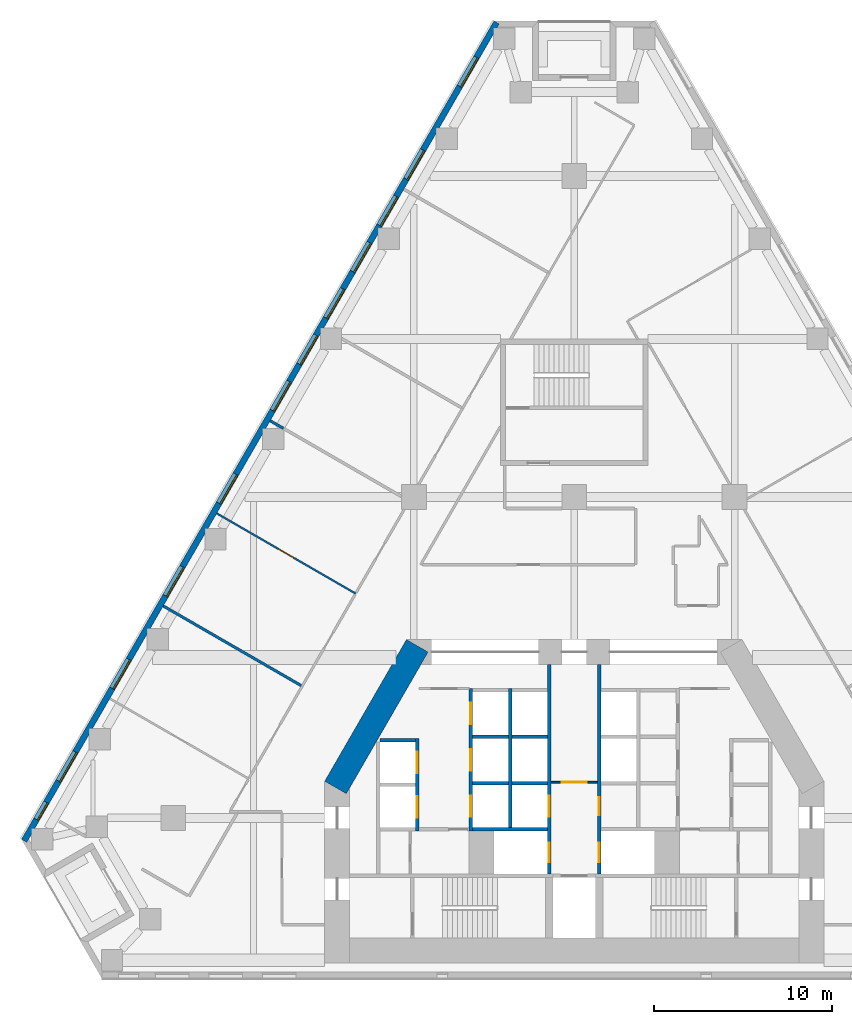
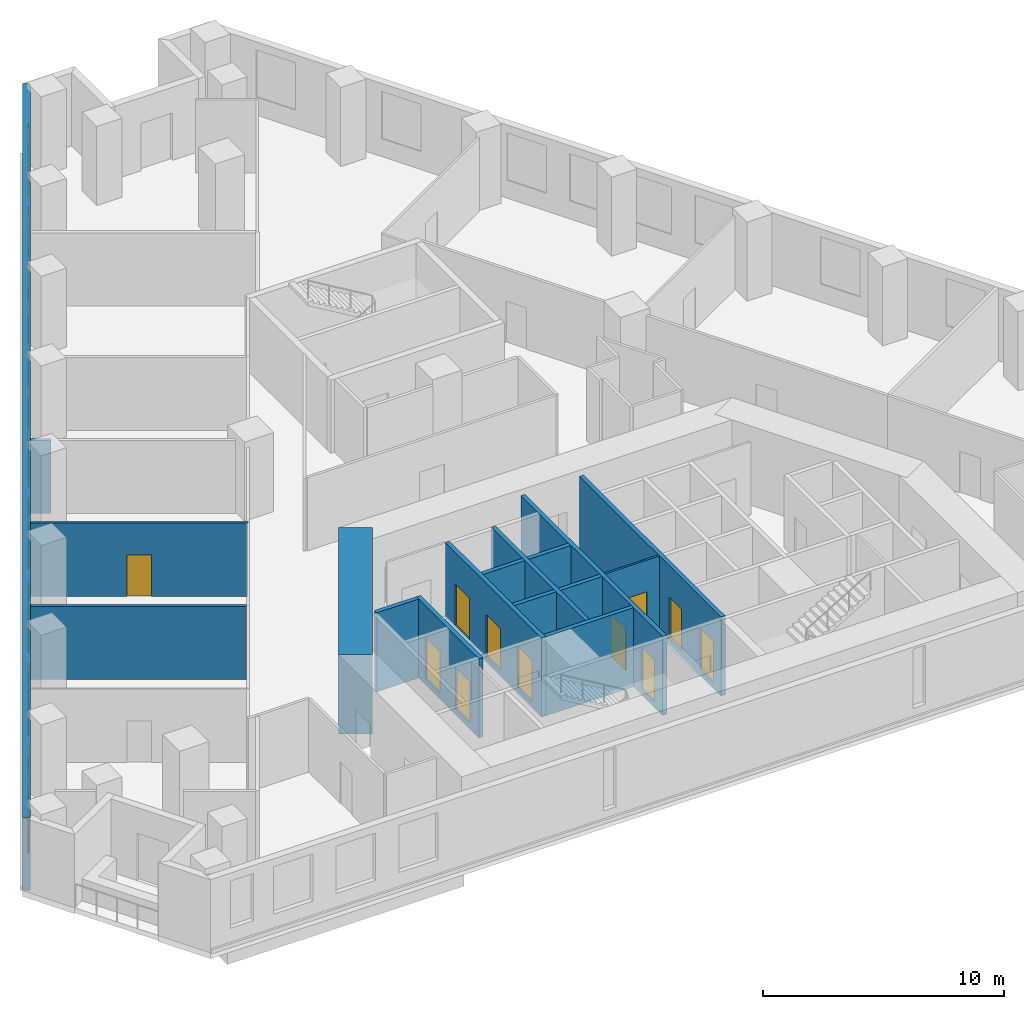
# One storey, part 4 of 9: 17 walls, 12 windows, 11 doors, 23 openings.
"""IFC4 building model written with IfcOpenShell, lengths in metres."""

import ifcopenshell
import ifcopenshell.guid

model = None  # the IFC model being written
_history = None  # IfcOwnerHistory: only IFC2X3 demands one
_inside = {}  # id of a spatial element -> (the spatial element, [elements in it])
_under = {}  # id of a project, library or spatial element -> (it, [spatial elements below it])
_declared = {}  # id of a project -> (the project, [libraries it declares])
_typed = {}  # id of a type object -> (the type object, [elements of that type])
_made_of = {}  # id of a material, layer set ... -> (it, [elements and type objects made of it])


def new_model(schema):
    """Start an empty IFC model of exactly this schema.

    Asked for "IFC4X3", IfcOpenShell would pick the latest addendum, in which some entities
    have other attributes; the version numbers below select the first issue.
    IFC2X3 requires an IfcOwnerHistory on every rooted entity: one is made here for all.
    """
    global model, _history
    if schema == "IFC4X3":
        model = ifcopenshell.file(schema_version=(4, 3, 0, 0))
    else:
        model = ifcopenshell.file(schema=schema)
    _inside.clear()
    _under.clear()
    _declared.clear()
    _typed.clear()
    _made_of.clear()
    _history = None
    if model.schema == "IFC2X3":
        org = make("IfcOrganization", Name="unknown")
        user = make(
            "IfcPersonAndOrganization",
            ThePerson=make("IfcPerson", FamilyName="unknown"),
            TheOrganization=org,
        )
        app = make(
            "IfcApplication",
            ApplicationDeveloper=org,
            Version="unknown",
            ApplicationFullName="unknown",
            ApplicationIdentifier="unknown",
        )
        _history = make(
            "IfcOwnerHistory",
            OwningUser=user,
            OwningApplication=app,
            ChangeAction="ADDED",
            CreationDate=0,
        )
    return model


def make(cls, **values):
    """One entity of the class cls with the attributes given. An attribute that is None is left unset."""
    return model.create_entity(
        cls, **{name: value for name, value in values.items() if value is not None}
    )


def rooted(cls, **values):
    """An entity with a GlobalId (a new one), such as an element, a storey or a relation."""
    return make(cls, GlobalId=ifcopenshell.guid.new(), OwnerHistory=_history, **values)


def si_unit(unit_type, name, prefix=None):
    """IfcSIUnit, for example si_unit("LENGTHUNIT", "METRE", prefix="MILLI")."""
    return make("IfcSIUnit", UnitType=unit_type, Prefix=prefix, Name=name)


def assignment(units):
    """IfcUnitAssignment: the units of a project."""
    return None if units is None else make("IfcUnitAssignment", Units=units)


def point(xyz):
    """IfcCartesianPoint."""
    return None if xyz is None else make("IfcCartesianPoint", Coordinates=xyz)


def direction(xyz):
    """IfcDirection."""
    return None if xyz is None else make("IfcDirection", DirectionRatios=xyz)


def frame(location, z_axis=None, x_axis=None):
    """IfcAxis2Placement3D, a coordinate frame: its origin and axes. An axis left out is left unset."""
    return make(
        "IfcAxis2Placement3D",
        Location=point(location),
        Axis=direction(z_axis),
        RefDirection=direction(x_axis),
    )


def frame_2d(location, x_axis=None):
    """IfcAxis2Placement2D, a coordinate frame in the plane: its origin and x axis."""
    return make(
        "IfcAxis2Placement2D", Location=point(location), RefDirection=direction(x_axis)
    )


def origin():
    """The frame at (0, 0, 0) with its axes left unset."""
    return frame((0.0, 0.0, 0.0))


def place(relative_to, where):
    """IfcLocalPlacement: puts the frame where relative to a parent placement (None: the world)."""
    return make(
        "IfcLocalPlacement", PlacementRelTo=relative_to, RelativePlacement=where
    )


def context(
    kind, dimensions, precision=None, world=None, true_north=None, identifier=None
):
    """IfcGeometricRepresentationContext, for example the 3D "Model" context."""
    return make(
        "IfcGeometricRepresentationContext",
        ContextIdentifier=identifier,
        ContextType=kind,
        CoordinateSpaceDimension=dimensions,
        Precision=precision,
        WorldCoordinateSystem=world,
        TrueNorth=true_north,
    )


def subcontext(parent, identifier, kind, view, scale=None):
    """IfcGeometricRepresentationSubContext, for example "Body" below "Model"."""
    return make(
        "IfcGeometricRepresentationSubContext",
        ContextIdentifier=identifier,
        ContextType=kind,
        ParentContext=parent,
        TargetScale=scale,
        TargetView=view,
    )


def project(units=None, contexts=None):
    """IfcProject with its units and contexts."""
    return rooted(
        "IfcProject",
        Name="project",
        RepresentationContexts=contexts,
        UnitsInContext=assignment(units),
    )


def spatial(cls, under=None, at=None, **own):
    """A site, building, storey or space (cls), placed at a placement, below another one or the project."""
    s = rooted(cls, ObjectPlacement=at, **own)
    if under is not None:
        _under.setdefault(under.id(), (under, []))[1].append(s)
    return s


def profile(cls, at=None, kind="AREA", **sizes):
    """A parametric profile (cls). Its sizes go by their IFC names, for example OverallWidth=200.0."""
    return make(cls, ProfileType=kind, Position=at, **sizes)


def rectangle(**sizes):
    """IfcRectangleProfileDef."""
    return profile("IfcRectangleProfileDef", **sizes)


def extrude(swept, where, along, depth):
    """IfcExtrudedAreaSolid: the profile swept, set in the frame where, extruded along a direction by depth."""
    return make(
        "IfcExtrudedAreaSolid",
        SweptArea=swept,
        Position=where,
        ExtrudedDirection=direction(along),
        Depth=depth,
    )


def shape(context_of_items, identifier, shape_type, items):
    """IfcShapeRepresentation: the items that make up one representation, for example the "Body"."""
    return make(
        "IfcShapeRepresentation",
        ContextOfItems=context_of_items,
        RepresentationIdentifier=identifier,
        RepresentationType=shape_type,
        Items=items,
    )


def material(Name=None, Category=None):
    """IfcMaterial."""
    return make("IfcMaterial", Name=Name, Category=Category)


def layer(
    of_material, thickness, ventilated=None, Name=None, Category=None, Priority=None
):
    """IfcMaterialLayer: one layer of a wall or slab, of a material (None: an air gap)."""
    return make(
        "IfcMaterialLayer",
        Material=of_material,
        LayerThickness=thickness,
        IsVentilated=ventilated,
        Name=Name,
        Category=Category,
        Priority=Priority,
    )


def layer_set(layers, Name=None):
    """IfcMaterialLayerSet."""
    return make("IfcMaterialLayerSet", MaterialLayers=layers, LayerSetName=Name)


def made_of(thing, what):
    """Note that an element or type object is made of a material, layer set ...; save() writes the relation."""
    if what is not None:
        _made_of.setdefault(what.id(), (what, []))[1].append(thing)
    return thing


def type_object(cls, material=None, **own):
    """A type object (cls), such as IfcWallType, which elements share."""
    return made_of(rooted(cls, **own), material)


def element(
    cls,
    number,
    at=None,
    inside=None,
    cuts=None,
    type_object=None,
    material=None,
    context=None,
    identifier="Body",
    shape_type=None,
    held_by="IfcProductDefinitionShape",
    body=None,
    shapes=None,
    **own,
):
    """One element of the class cls, such as IfcWall. Its Tag is "e" and its number.

    at: its placement. inside: the storey or other place that contains it. cuts: it is an
    opening in that element (IfcRelVoidsElement). A single representation is given by context,
    identifier, shape_type and body (its items); several are given by shapes. held_by: the class
    of the entity that holds the representations. save() writes the other relations.
    """
    e = rooted(cls, Tag="e%d" % number, ObjectPlacement=at, **own)
    if body is not None:
        shapes = [shape(context, identifier, shape_type, body)]
    if shapes is not None:
        e.Representation = make(held_by, Representations=shapes)
    if inside is not None:
        _inside.setdefault(inside.id(), (inside, []))[1].append(e)
    if cuts is not None:
        rooted(
            "IfcRelVoidsElement", RelatingBuildingElement=cuts, RelatedOpeningElement=e
        )
    if type_object is not None:
        _typed.setdefault(type_object.id(), (type_object, []))[1].append(e)
    return made_of(e, material)


def fill(opening, filler):
    """IfcRelFillsElement: the door or window that sits in an opening."""
    return rooted(
        "IfcRelFillsElement",
        RelatingOpeningElement=opening,
        RelatedBuildingElement=filler,
    )


def aggregate(whole, parts):
    """IfcRelAggregates: a whole, such as a stair, and the parts it consists of."""
    return rooted("IfcRelAggregates", RelatingObject=whole, RelatedObjects=parts)


def save(model, path):
    """Write the relations noted so far, then the file.

    IfcRelAggregates (storeys below a building ...), IfcRelContainedInSpatialStructure (elements
    in a storey), IfcRelDefinesByType, IfcRelAssociatesMaterial and IfcRelDeclares: one each for
    every whole, place, type object, material and project.
    """
    for whole, parts in _under.values():
        aggregate(whole, parts)
    for where, things in _inside.values():
        rooted(
            "IfcRelContainedInSpatialStructure",
            RelatedElements=things,
            RelatingStructure=where,
        )
    for kind, things in _typed.values():
        rooted("IfcRelDefinesByType", RelatedObjects=things, RelatingType=kind)
    for what, things in _made_of.values():
        rooted("IfcRelAssociatesMaterial", RelatedObjects=things, RelatingMaterial=what)
    for by, libraries in _declared.values():
        rooted("IfcRelDeclares", RelatingContext=by, RelatedDefinitions=libraries)
    model.write(path)


model = new_model("IFC4")

# Units and contexts
model_context = context("Model", 3, precision=1e-05, world=origin(), true_north=direction((0.0, 1.0)))
body_context = subcontext(model_context, "Body", "Model", "MODEL_VIEW")
ifc_project = project(units=[si_unit("LENGTHUNIT", "METRE"), si_unit("AREAUNIT", "SQUARE_METRE"), si_unit("VOLUMEUNIT", "CUBIC_METRE"), si_unit("PLANEANGLEUNIT", "RADIAN"), si_unit("MASSUNIT", "GRAM", prefix="KILO")], contexts=[model_context])

# Site, building, storey
site_placement = place(None, origin())
site = spatial("IfcSite", under=ifc_project, at=site_placement, CompositionType="ELEMENT")
building_placement = place(site_placement, origin())
building = spatial("IfcBuilding", under=site, at=building_placement, Name="Fogline Exchange Tower", CompositionType="ELEMENT")
storey_placement = place(building_placement, frame((0.0, 0.0, 84.89990234375)))
storey = spatial("IfcBuildingStorey", under=building, at=storey_placement, Name="L18", CompositionType="ELEMENT", Elevation=84.89990234375)

# Wall, opening, door
ifc_material_1 = material(Name="Blockwork partition", Category="masonry")
ifc_layer_1 = layer(ifc_material_1, 0.10009765625)
ifc_layer_set_1 = layer_set([ifc_layer_1], Name="CW10")
wall_type_1 = type_object("IfcWallType", Name="CW10", PredefinedType="PARTITIONING", material=ifc_layer_set_1)
wall_1_placement = place(storey_placement, frame((-1.300048828125, 11.0, 0.0), z_axis=(0.0, 0.0, 1.0), x_axis=(1.0, 0.0, 0.0)))
wall_1 = element("IfcWall", 1, at=wall_1_placement, inside=storey, type_object=wall_type_1, Name="Lift lobby partition", PredefinedType="PARTITIONING", context=body_context, shape_type="SweptSolid", body=[
    extrude(rectangle(XDim=2.60009765625, YDim=0.10009765625, at=frame_2d((1.300048828125, 0.0))), origin(), (0.0, 0.0, 1.0), 3.7001953125),
])
opening_1_placement = place(wall_1_placement, frame((0.60009765625, 0.0, 0.0)))
opening_1 = element("IfcOpeningElement", 2, at=opening_1_placement, cuts=wall_1, Name="Opening T05-C019", PredefinedType="OPENING", context=body_context, shape_type="SweptSolid", body=[
    extrude(rectangle(XDim=1.39990234375, YDim=2.10009765625, at=frame_2d((0.699951171875, 1.050048828125))), frame((0.0, 0.06005859375, 0.0), z_axis=(0.0, -1.0, 0.0), x_axis=(1.0, 0.0, 0.0)), (0.0, 0.0, 1.0), 0.1201171875),
])
ifc_material_2 = material(Name="Steel and timber fire door", Category="steel")
door_type_1 = type_object("IfcDoorType", Name="D-LB1", OperationType="DOUBLE_DOOR_SINGLE_SWING", PredefinedType="DOOR", material=ifc_material_2)
door_1_placement = place(opening_1_placement, frame((1.39990234375, 0.0, 0.0), z_axis=(0.0, 0.0, 1.0), x_axis=(-1.0, 0.0, 0.0)))
door_1 = element("IfcDoor", 3, at=door_1_placement, inside=storey, type_object=door_type_1, Name="Door to firefighting lift lobby", OperationType="DOUBLE_DOOR_SINGLE_SWING", OverallHeight=2.10009765625, OverallWidth=1.39990234375, PredefinedType="DOOR", context=body_context, shape_type="SweptSolid", body=[
    extrude(rectangle(XDim=1.39990234375, YDim=2.10009765625, at=frame_2d((0.699951171875, 1.050048828125))), frame((0.0, 0.02490234375, 0.0), z_axis=(0.0, -1.0, 0.0), x_axis=(1.0, 0.0, 0.0)), (0.0, 0.0, 1.0), 0.050048828125),
])
fill(opening_1, door_1)

# Wall, openings, doors
ifc_material_3 = material(Name="Concrete C40", Category="concrete")
ifc_layer_2 = layer(ifc_material_3, 0.199951171875)
ifc_layer_set_2 = layer_set([ifc_layer_2], Name="CW20S")
wall_type_2 = type_object("IfcWallType", Name="CW20S", PredefinedType="SOLIDWALL", material=ifc_layer_set_2)
wall_2_placement = place(storey_placement, frame((-8.800048828125, 8.25, -0.2998046875), z_axis=(0.0, 0.0, 1.0), x_axis=(0.0, 1.0, 0.0)))
wall_2 = element("IfcWall", 4, at=wall_2_placement, inside=storey, type_object=wall_type_2, Name="Lift shaft wall", PredefinedType="SOLIDWALL", context=body_context, shape_type="SweptSolid", body=[
    extrude(rectangle(XDim=5.199951171875, YDim=0.199951171875, at=frame_2d((2.60009765625, 0.0))), origin(), (0.0, 0.0, 1.0), 4.0),
])
opening_2_placement = place(wall_2_placement, frame((0.75, 0.0, 0.300048828125)))
opening_2 = element("IfcOpeningElement", 5, at=opening_2_placement, cuts=wall_2, Name="Opening T05-LD01", PredefinedType="OPENING", context=body_context, shape_type="SweptSolid", body=[
    extrude(rectangle(XDim=1.199951171875, YDim=2.10009765625, at=frame_2d((0.60009765625, 1.050048828125))), frame((0.0, 0.10986328125, 0.0), z_axis=(0.0, -1.0, 0.0), x_axis=(1.0, 0.0, 0.0)), (0.0, 0.0, 1.0), 0.219970703125),
])
opening_3_placement = place(wall_2_placement, frame((3.25, 0.0, 0.300048828125)))
opening_3 = element("IfcOpeningElement", 6, at=opening_3_placement, cuts=wall_2, Name="Opening T05-LD02", PredefinedType="OPENING", context=body_context, shape_type="SweptSolid", body=[
    extrude(rectangle(XDim=1.199951171875, YDim=2.10009765625, at=frame_2d((0.60009765625, 1.050048828125))), frame((0.0, 0.10986328125, 0.0), z_axis=(0.0, -1.0, 0.0), x_axis=(1.0, 0.0, 0.0)), (0.0, 0.0, 1.0), 0.219970703125),
])
door_type_2 = type_object("IfcDoorType", Name="LD1", OperationType="SLIDING_TO_LEFT", PredefinedType="DOOR", material=ifc_material_2)
door_2_placement = place(opening_2_placement, origin())
door_2 = element("IfcDoor", 7, at=door_2_placement, inside=storey, type_object=door_type_2, Name="Landing door LR1", OperationType="SLIDING_TO_LEFT", OverallHeight=2.10009765625, OverallWidth=1.199951171875, PredefinedType="DOOR", context=body_context, shape_type="SweptSolid", body=[
    extrude(rectangle(XDim=1.199951171875, YDim=2.10009765625, at=frame_2d((0.60009765625, 1.050048828125))), frame((0.0, 0.02490234375, 0.0), z_axis=(0.0, -1.0, 0.0), x_axis=(1.0, 0.0, 0.0)), (0.0, 0.0, 1.0), 0.050048828125),
])
fill(opening_2, door_2)
door_3_placement = place(opening_3_placement, origin())
door_3 = element("IfcDoor", 8, at=door_3_placement, inside=storey, type_object=door_type_2, Name="Landing door LR2", OperationType="SLIDING_TO_LEFT", OverallHeight=2.10009765625, OverallWidth=1.199951171875, PredefinedType="DOOR", context=body_context, shape_type="SweptSolid", body=[
    extrude(rectangle(XDim=1.199951171875, YDim=2.10009765625, at=frame_2d((0.60009765625, 1.050048828125))), frame((0.0, 0.02490234375, 0.0), z_axis=(0.0, -1.0, 0.0), x_axis=(1.0, 0.0, 0.0)), (0.0, 0.0, 1.0), 0.050048828125),
])
fill(opening_3, door_3)

wall_3_placement = place(storey_placement, frame((-5.800048828125, 8.25, -0.2998046875), z_axis=(0.0, 0.0, 1.0), x_axis=(0.0, 1.0, 0.0)))
wall_3 = element("IfcWall", 9, at=wall_3_placement, inside=storey, type_object=wall_type_2, Name="Lift shaft wall", PredefinedType="SOLIDWALL", context=body_context, shape_type="SweptSolid", body=[
    extrude(rectangle(XDim=8.0, YDim=0.199951171875, at=frame_2d((4.0, 0.0))), origin(), (0.0, 0.0, 1.0), 4.0),
])
opening_4_placement = place(wall_3_placement, frame((0.800048828125, 0.0, 0.300048828125)))
opening_4 = element("IfcOpeningElement", 10, at=opening_4_placement, cuts=wall_3, Name="Opening T05-LD03", PredefinedType="OPENING", context=body_context, shape_type="SweptSolid", body=[
    extrude(rectangle(XDim=1.199951171875, YDim=2.10009765625, at=frame_2d((0.60009765625, 1.050048828125))), frame((0.0, 0.10986328125, 0.0), z_axis=(0.0, -1.0, 0.0), x_axis=(1.0, 0.0, 0.0)), (0.0, 0.0, 1.0), 0.219970703125),
])
opening_5_placement = place(wall_3_placement, frame((3.39990234375, 0.0, 0.300048828125)))
opening_5 = element("IfcOpeningElement", 11, at=opening_5_placement, cuts=wall_3, Name="Opening T05-LD04", PredefinedType="OPENING", context=body_context, shape_type="SweptSolid", body=[
    extrude(rectangle(XDim=1.199951171875, YDim=2.10009765625, at=frame_2d((0.60009765625, 1.050048828125))), frame((0.0, 0.10986328125, 0.0), z_axis=(0.0, -1.0, 0.0), x_axis=(1.0, 0.0, 0.0)), (0.0, 0.0, 1.0), 0.219970703125),
])
opening_6_placement = place(wall_3_placement, frame((6.0, 0.0, 0.300048828125)))
opening_6 = element("IfcOpeningElement", 12, at=opening_6_placement, cuts=wall_3, Name="Opening T05-LD05", PredefinedType="OPENING", context=body_context, shape_type="SweptSolid", body=[
    extrude(rectangle(XDim=1.199951171875, YDim=2.10009765625, at=frame_2d((0.60009765625, 1.050048828125))), frame((0.0, 0.10986328125, 0.0), z_axis=(0.0, -1.0, 0.0), x_axis=(1.0, 0.0, 0.0)), (0.0, 0.0, 1.0), 0.219970703125),
])
door_4_placement = place(opening_4_placement, origin())
door_4 = element("IfcDoor", 13, at=door_4_placement, inside=storey, type_object=door_type_2, Name="Landing door LR3", OperationType="SLIDING_TO_LEFT", OverallHeight=2.10009765625, OverallWidth=1.199951171875, PredefinedType="DOOR", context=body_context, shape_type="SweptSolid", body=[
    extrude(rectangle(XDim=1.199951171875, YDim=2.10009765625, at=frame_2d((0.60009765625, 1.050048828125))), frame((0.0, 0.02490234375, 0.0), z_axis=(0.0, -1.0, 0.0), x_axis=(1.0, 0.0, 0.0)), (0.0, 0.0, 1.0), 0.050048828125),
])
fill(opening_4, door_4)
door_5_placement = place(opening_5_placement, origin())
door_5 = element("IfcDoor", 14, at=door_5_placement, inside=storey, type_object=door_type_2, Name="Landing door LR4", OperationType="SLIDING_TO_LEFT", OverallHeight=2.10009765625, OverallWidth=1.199951171875, PredefinedType="DOOR", context=body_context, shape_type="SweptSolid", body=[
    extrude(rectangle(XDim=1.199951171875, YDim=2.10009765625, at=frame_2d((0.60009765625, 1.050048828125))), frame((0.0, 0.02490234375, 0.0), z_axis=(0.0, -1.0, 0.0), x_axis=(1.0, 0.0, 0.0)), (0.0, 0.0, 1.0), 0.050048828125),
])
fill(opening_5, door_5)
door_6_placement = place(opening_6_placement, origin())
door_6 = element("IfcDoor", 15, at=door_6_placement, inside=storey, type_object=door_type_2, Name="Landing door LR5", OperationType="SLIDING_TO_LEFT", OverallHeight=2.10009765625, OverallWidth=1.199951171875, PredefinedType="DOOR", context=body_context, shape_type="SweptSolid", body=[
    extrude(rectangle(XDim=1.199951171875, YDim=2.10009765625, at=frame_2d((0.60009765625, 1.050048828125))), frame((0.0, 0.02490234375, 0.0), z_axis=(0.0, -1.0, 0.0), x_axis=(1.0, 0.0, 0.0)), (0.0, 0.0, 1.0), 0.050048828125),
])
fill(opening_6, door_6)

# Wall
wall_4_placement = place(storey_placement, frame((-3.60009765625, 8.449951171875, -0.2998046875), z_axis=(0.0, 0.0, 1.0), x_axis=(0.0, 1.0, 0.0)))
element("IfcWall", 16, at=wall_4_placement, inside=storey, type_object=wall_type_2, Name="Lift shaft wall", PredefinedType="SOLIDWALL", context=body_context, shape_type="SweptSolid", body=[
    extrude(rectangle(XDim=7.800048828125, YDim=0.199951171875, at=frame_2d((3.89990234375, 0.0))), origin(), (0.0, 0.0, 1.0), 4.0),
])

# Wall, openings, doors
wall_5_placement = place(storey_placement, frame((-1.39990234375, 5.85009765625, -0.2998046875), z_axis=(0.0, 0.0, 1.0), x_axis=(0.0, 1.0, 0.0)))
wall_5 = element("IfcWall", 17, at=wall_5_placement, inside=storey, type_object=wall_type_2, Name="Lift lobby wall", PredefinedType="SOLIDWALL", context=body_context, shape_type="SweptSolid", body=[
    extrude(rectangle(XDim=11.75, YDim=0.199951171875, at=frame_2d((5.875, 0.0))), origin(), (0.0, 0.0, 1.0), 4.0),
])
opening_7_placement = place(wall_5_placement, frame((3.199951171875, 0.0, 0.300048828125)))
opening_7 = element("IfcOpeningElement", 18, at=opening_7_placement, cuts=wall_5, Name="Opening T05-LD06", PredefinedType="OPENING", context=body_context, shape_type="SweptSolid", body=[
    extrude(rectangle(XDim=1.199951171875, YDim=2.10009765625, at=frame_2d((0.60009765625, 1.050048828125))), frame((0.0, 0.10986328125, 0.0), z_axis=(0.0, -1.0, 0.0), x_axis=(1.0, 0.0, 0.0)), (0.0, 0.0, 1.0), 0.219970703125),
])
opening_8_placement = place(wall_5_placement, frame((0.64990234375, 0.0, 0.300048828125)))
opening_8 = element("IfcOpeningElement", 19, at=opening_8_placement, cuts=wall_5, Name="Opening T05-LD07", PredefinedType="OPENING", context=body_context, shape_type="SweptSolid", body=[
    extrude(rectangle(XDim=1.10009765625, YDim=2.10009765625, at=frame_2d((0.550048828125, 1.050048828125))), frame((0.0, 0.10986328125, 0.0), z_axis=(0.0, -1.0, 0.0), x_axis=(1.0, 0.0, 0.0)), (0.0, 0.0, 1.0), 0.219970703125),
])
door_7_placement = place(opening_7_placement, origin())
door_7 = element("IfcDoor", 20, at=door_7_placement, inside=storey, type_object=door_type_2, Name="Landing door LR6", OperationType="SLIDING_TO_LEFT", OverallHeight=2.10009765625, OverallWidth=1.199951171875, PredefinedType="DOOR", context=body_context, shape_type="SweptSolid", body=[
    extrude(rectangle(XDim=1.199951171875, YDim=2.10009765625, at=frame_2d((0.60009765625, 1.050048828125))), frame((0.0, 0.02490234375, 0.0), z_axis=(0.0, -1.0, 0.0), x_axis=(1.0, 0.0, 0.0)), (0.0, 0.0, 1.0), 0.050048828125),
])
fill(opening_7, door_7)
door_type_3 = type_object("IfcDoorType", Name="LD2", OperationType="SLIDING_TO_RIGHT", PredefinedType="DOOR", material=ifc_material_2)
door_8_placement = place(opening_8_placement, origin())
door_8 = element("IfcDoor", 21, at=door_8_placement, inside=storey, type_object=door_type_3, Name="Landing door FF1", OperationType="SLIDING_TO_RIGHT", OverallHeight=2.10009765625, OverallWidth=1.10009765625, PredefinedType="DOOR", context=body_context, shape_type="SweptSolid", body=[
    extrude(rectangle(XDim=1.10009765625, YDim=2.10009765625, at=frame_2d((0.550048828125, 1.050048828125))), frame((0.0, 0.02490234375, 0.0), z_axis=(0.0, -1.0, 0.0), x_axis=(1.0, 0.0, 0.0)), (0.0, 0.0, 1.0), 0.050048828125),
])
fill(opening_8, door_8)

wall_6_placement = place(storey_placement, frame((1.39990234375, 5.85009765625, -0.2998046875), z_axis=(0.0, 0.0, 1.0), x_axis=(0.0, 1.0, 0.0)))
wall_6 = element("IfcWall", 22, at=wall_6_placement, inside=storey, type_object=wall_type_2, Name="Lift lobby wall", PredefinedType="SOLIDWALL", context=body_context, shape_type="SweptSolid", body=[
    extrude(rectangle(XDim=11.75, YDim=0.199951171875, at=frame_2d((5.875, 0.0))), origin(), (0.0, 0.0, 1.0), 4.0),
])
opening_9_placement = place(wall_6_placement, frame((0.64990234375, 0.0, 0.300048828125)))
opening_9 = element("IfcOpeningElement", 23, at=opening_9_placement, cuts=wall_6, Name="Opening T05-LD08", PredefinedType="OPENING", context=body_context, shape_type="SweptSolid", body=[
    extrude(rectangle(XDim=1.10009765625, YDim=2.10009765625, at=frame_2d((0.550048828125, 1.050048828125))), frame((0.0, 0.10986328125, 0.0), z_axis=(0.0, -1.0, 0.0), x_axis=(1.0, 0.0, 0.0)), (0.0, 0.0, 1.0), 0.219970703125),
])
opening_10_placement = place(wall_6_placement, frame((3.300048828125, 0.0, 0.300048828125)))
opening_10 = element("IfcOpeningElement", 24, at=opening_10_placement, cuts=wall_6, Name="Opening T05-C006", PredefinedType="OPENING", context=body_context, shape_type="SweptSolid", body=[
    extrude(rectangle(XDim=1.0, YDim=2.10009765625, at=frame_2d((0.5, 1.050048828125))), frame((0.0, 0.10986328125, 0.0), z_axis=(0.0, -1.0, 0.0), x_axis=(1.0, 0.0, 0.0)), (0.0, 0.0, 1.0), 0.219970703125),
])
door_type_4 = type_object("IfcDoorType", Name="D-RM1", OperationType="SINGLE_SWING_LEFT", PredefinedType="DOOR", material=ifc_material_2)
door_9_placement = place(opening_10_placement, frame((1.0, 0.0, 0.0), z_axis=(0.0, 0.0, 1.0), x_axis=(-1.0, 0.0, 0.0)))
door_9 = element("IfcDoor", 25, at=door_9_placement, inside=storey, type_object=door_type_4, Name="Door to Riser Room", OperationType="SINGLE_SWING_RIGHT", OverallHeight=2.10009765625, OverallWidth=1.0, PredefinedType="DOOR", context=body_context, shape_type="SweptSolid", body=[
    extrude(rectangle(XDim=1.0, YDim=2.10009765625, at=frame_2d((0.5, 1.050048828125))), frame((0.0, 0.02490234375, 0.0), z_axis=(0.0, -1.0, 0.0), x_axis=(1.0, 0.0, 0.0)), (0.0, 0.0, 1.0), 0.050048828125),
])
fill(opening_10, door_9)
door_10_placement = place(opening_9_placement, origin())
door_10 = element("IfcDoor", 26, at=door_10_placement, inside=storey, type_object=door_type_3, Name="Landing door FF2", OperationType="SLIDING_TO_RIGHT", OverallHeight=2.10009765625, OverallWidth=1.10009765625, PredefinedType="DOOR", context=body_context, shape_type="SweptSolid", body=[
    extrude(rectangle(XDim=1.10009765625, YDim=2.10009765625, at=frame_2d((0.550048828125, 1.050048828125))), frame((0.0, 0.02490234375, 0.0), z_axis=(0.0, -1.0, 0.0), x_axis=(1.0, 0.0, 0.0)), (0.0, 0.0, 1.0), 0.050048828125),
])
fill(opening_9, door_10)

# Walls
wall_7_placement = place(storey_placement, frame((-5.699951171875, 8.35009765625, -0.2998046875), z_axis=(0.0, 0.0, 1.0), x_axis=(1.0, 0.0, 0.0)))
element("IfcWall", 27, at=wall_7_placement, inside=storey, type_object=wall_type_2, Name="Lift shaft wall", PredefinedType="SOLIDWALL", context=body_context, shape_type="SweptSolid", body=[
    extrude(rectangle(XDim=4.199951171875, YDim=0.199951171875, at=frame_2d((2.10009765625, 0.0))), origin(), (0.0, 0.0, 1.0), 4.0),
])
for number, where, z_axis, x_axis, name in (
    (28, (-10.89990234375, 13.35009765625, -0.2998046875), (0.0, 0.0, 1.0), (1.0, 0.0, 0.0), "Lift shaft wall"),
    (29, (-5.699951171875, 10.949951171875, -0.2998046875), (0.0, 0.0, 1.0), (1.0, 0.0, 0.0), "Lift shaft wall"),
    (30, (-5.699951171875, 13.550048828125, -0.2998046875), (0.0, 0.0, 1.0), (1.0, 0.0, 0.0), "Lift shaft wall"),
    (31, (-3.5, 10.949951171875, -0.2998046875), (0.0, 0.0, 1.0), (1.0, 0.0, 0.0), "Lift shaft wall"),
    (32, (-3.5, 13.550048828125, -0.2998046875), (0.0, 0.0, 1.0), (1.0, 0.0, 0.0), "Lift shaft wall"),
):
    element("IfcWall", number, at=place(storey_placement, frame(where, z_axis=z_axis, x_axis=x_axis)), inside=storey, type_object=wall_type_2, Name=name, PredefinedType="SOLIDWALL", context=body_context, shape_type="SweptSolid", body=[
        extrude(rectangle(XDim=2.0, YDim=0.199951171875, at=frame_2d((1.0, 0.0))), origin(), (0.0, 0.0, 1.0), 4.0),
    ])

# Wall, openings, windows
ifc_material_4 = material(Name="Brick masonry", Category="masonry")
ifc_layer_3 = layer(ifc_material_4, 0.340087890625)
ifc_layer_set_3 = layer_set([ifc_layer_3], Name="FW1")
wall_type_3 = type_object("IfcWallType", Name="FW1", PredefinedType="SOLIDWALL", material=ifc_layer_set_3)
wall_8_placement = place(storey_placement, frame((-4.352783203125, 53.626708984375, 0.0), z_axis=(0.0, 0.0, 1.0), x_axis=(-0.500000400847, -0.866025172355, 0.0)))
wall_8 = element("IfcWall", 33, at=wall_8_placement, inside=storey, type_object=wall_type_3, Name="Brick wall L18 W", PredefinedType="SOLIDWALL", context=body_context, shape_type="SweptSolid", body=[
    extrude(rectangle(XDim=53.02099609375, YDim=0.340087890625, at=frame_2d((26.510498046875, 0.0))), origin(), (0.0, 0.0, 1.0), 3.7001953125),
])
opening_11_placement = place(wall_8_placement, frame((2.265625, 0.0, 0.89990234375)))
opening_11 = element("IfcOpeningElement", 34, at=opening_11_placement, cuts=wall_8, Name="Opening W1", PredefinedType="OPENING", context=body_context, shape_type="SweptSolid", body=[
    extrude(rectangle(XDim=1.885009765625, YDim=2.39990234375, at=frame_2d((0.9423828125, 1.199951171875))), frame((0.0, 0.18017578125, 0.0), z_axis=(0.0, -1.0, 0.0), x_axis=(1.0, 0.0, 0.0)), (0.0, 0.0, 1.0), 0.360107421875),
])
opening_12_placement = place(wall_8_placement, frame((8.265625, 0.0, 0.89990234375)))
opening_12 = element("IfcOpeningElement", 35, at=opening_12_placement, cuts=wall_8, Name="Opening W1", PredefinedType="OPENING", context=body_context, shape_type="SweptSolid", body=[
    extrude(rectangle(XDim=1.885009765625, YDim=2.39990234375, at=frame_2d((0.9423828125, 1.199951171875))), frame((0.0, 0.18017578125, 0.0), z_axis=(0.0, -1.0, 0.0), x_axis=(1.0, 0.0, 0.0)), (0.0, 0.0, 1.0), 0.360107421875),
])
opening_13_placement = place(wall_8_placement, frame((11.265625, 0.0, 0.89990234375)))
opening_13 = element("IfcOpeningElement", 36, at=opening_13_placement, cuts=wall_8, Name="Opening W1", PredefinedType="OPENING", context=body_context, shape_type="SweptSolid", body=[
    extrude(rectangle(XDim=1.885009765625, YDim=2.39990234375, at=frame_2d((0.9423828125, 1.199951171875))), frame((0.0, 0.18017578125, 0.0), z_axis=(0.0, -1.0, 0.0), x_axis=(1.0, 0.0, 0.0)), (0.0, 0.0, 1.0), 0.360107421875),
])
opening_14_placement = place(wall_8_placement, frame((14.265625, 0.0, 0.89990234375)))
opening_14 = element("IfcOpeningElement", 37, at=opening_14_placement, cuts=wall_8, Name="Opening W1", PredefinedType="OPENING", context=body_context, shape_type="SweptSolid", body=[
    extrude(rectangle(XDim=1.885009765625, YDim=2.39990234375, at=frame_2d((0.9423828125, 1.199951171875))), frame((0.0, 0.18017578125, 0.0), z_axis=(0.0, -1.0, 0.0), x_axis=(1.0, 0.0, 0.0)), (0.0, 0.0, 1.0), 0.360107421875),
])
opening_15_placement = place(wall_8_placement, frame((17.265625, 0.0, 0.89990234375)))
opening_15 = element("IfcOpeningElement", 38, at=opening_15_placement, cuts=wall_8, Name="Opening W1", PredefinedType="OPENING", context=body_context, shape_type="SweptSolid", body=[
    extrude(rectangle(XDim=1.885009765625, YDim=2.39990234375, at=frame_2d((0.9423828125, 1.199951171875))), frame((0.0, 0.18017578125, 0.0), z_axis=(0.0, -1.0, 0.0), x_axis=(1.0, 0.0, 0.0)), (0.0, 0.0, 1.0), 0.360107421875),
])
opening_16_placement = place(wall_8_placement, frame((20.265625, 0.0, 0.89990234375)))
opening_16 = element("IfcOpeningElement", 39, at=opening_16_placement, cuts=wall_8, Name="Opening W1", PredefinedType="OPENING", context=body_context, shape_type="SweptSolid", body=[
    extrude(rectangle(XDim=1.885009765625, YDim=2.39990234375, at=frame_2d((0.9423828125, 1.199951171875))), frame((0.0, 0.18017578125, 0.0), z_axis=(0.0, -1.0, 0.0), x_axis=(1.0, 0.0, 0.0)), (0.0, 0.0, 1.0), 0.360107421875),
])
opening_17_placement = place(wall_8_placement, frame((23.265625, 0.0, 0.89990234375)))
opening_17 = element("IfcOpeningElement", 40, at=opening_17_placement, cuts=wall_8, Name="Opening W1", PredefinedType="OPENING", context=body_context, shape_type="SweptSolid", body=[
    extrude(rectangle(XDim=1.885009765625, YDim=2.39990234375, at=frame_2d((0.9423828125, 1.199951171875))), frame((0.0, 0.18017578125, 0.0), z_axis=(0.0, -1.0, 0.0), x_axis=(1.0, 0.0, 0.0)), (0.0, 0.0, 1.0), 0.360107421875),
])
opening_18_placement = place(wall_8_placement, frame((29.265625, 0.0, 0.89990234375)))
opening_18 = element("IfcOpeningElement", 41, at=opening_18_placement, cuts=wall_8, Name="Opening W1", PredefinedType="OPENING", context=body_context, shape_type="SweptSolid", body=[
    extrude(rectangle(XDim=1.885009765625, YDim=2.39990234375, at=frame_2d((0.9423828125, 1.199951171875))), frame((0.0, 0.18017578125, 0.0), z_axis=(0.0, -1.0, 0.0), x_axis=(1.0, 0.0, 0.0)), (0.0, 0.0, 1.0), 0.360107421875),
])
opening_19_placement = place(wall_8_placement, frame((35.265625, 0.0, 0.89990234375)))
opening_19 = element("IfcOpeningElement", 42, at=opening_19_placement, cuts=wall_8, Name="Opening W1", PredefinedType="OPENING", context=body_context, shape_type="SweptSolid", body=[
    extrude(rectangle(XDim=1.885009765625, YDim=2.39990234375, at=frame_2d((0.9423828125, 1.199951171875))), frame((0.0, 0.18017578125, 0.0), z_axis=(0.0, -1.0, 0.0), x_axis=(1.0, 0.0, 0.0)), (0.0, 0.0, 1.0), 0.360107421875),
])
opening_20_placement = place(wall_8_placement, frame((41.265625, 0.0, 0.89990234375)))
opening_20 = element("IfcOpeningElement", 43, at=opening_20_placement, cuts=wall_8, Name="Opening W1", PredefinedType="OPENING", context=body_context, shape_type="SweptSolid", body=[
    extrude(rectangle(XDim=1.885009765625, YDim=2.39990234375, at=frame_2d((0.9423828125, 1.199951171875))), frame((0.0, 0.18017578125, 0.0), z_axis=(0.0, -1.0, 0.0), x_axis=(1.0, 0.0, 0.0)), (0.0, 0.0, 1.0), 0.360107421875),
])
opening_21_placement = place(wall_8_placement, frame((47.265625, 0.0, 0.89990234375)))
opening_21 = element("IfcOpeningElement", 44, at=opening_21_placement, cuts=wall_8, Name="Opening W1", PredefinedType="OPENING", context=body_context, shape_type="SweptSolid", body=[
    extrude(rectangle(XDim=1.885009765625, YDim=2.39990234375, at=frame_2d((0.9423828125, 1.199951171875))), frame((0.0, 0.18017578125, 0.0), z_axis=(0.0, -1.0, 0.0), x_axis=(1.0, 0.0, 0.0)), (0.0, 0.0, 1.0), 0.360107421875),
])
opening_22_placement = place(wall_8_placement, frame((50.5283203125, 0.0, 0.89990234375)))
opening_22 = element("IfcOpeningElement", 45, at=opening_22_placement, cuts=wall_8, Name="Opening W4", PredefinedType="OPENING", context=body_context, shape_type="SweptSolid", body=[
    extrude(rectangle(XDim=1.114990234375, YDim=2.39990234375, at=frame_2d((0.5576171875, 1.199951171875))), frame((0.0, 0.18017578125, 0.0), z_axis=(0.0, -1.0, 0.0), x_axis=(1.0, 0.0, 0.0)), (0.0, 0.0, 1.0), 0.360107421875),
])
ifc_material_5 = material(Name="Aluminium and glass", Category="aluminium")
window_type_1 = type_object("IfcWindowType", Name="W1", PartitioningType="SINGLE_PANEL", PredefinedType="WINDOW", material=ifc_material_5)
window_1_placement = place(opening_11_placement, origin())
window_1 = element("IfcWindow", 46, at=window_1_placement, inside=storey, type_object=window_type_1, Name="W1 W1", OverallHeight=2.39990234375, OverallWidth=1.885009765625, PartitioningType="SINGLE_PANEL", PredefinedType="WINDOW", context=body_context, shape_type="SweptSolid", body=[
    extrude(rectangle(XDim=1.885009765625, YDim=2.39990234375, at=frame_2d((0.9423828125, 1.199951171875))), frame((0.0, 0.110107421875, 0.0), z_axis=(0.0, -1.0, 0.0), x_axis=(1.0, 0.0, 0.0)), (0.0, 0.0, 1.0), 0.06005859375),
])
fill(opening_11, window_1)
window_2_placement = place(opening_12_placement, origin())
window_2 = element("IfcWindow", 47, at=window_2_placement, inside=storey, type_object=window_type_1, Name="W1 W1", OverallHeight=2.39990234375, OverallWidth=1.885009765625, PartitioningType="SINGLE_PANEL", PredefinedType="WINDOW", context=body_context, shape_type="SweptSolid", body=[
    extrude(rectangle(XDim=1.885009765625, YDim=2.39990234375, at=frame_2d((0.9423828125, 1.199951171875))), frame((0.0, 0.110107421875, 0.0), z_axis=(0.0, -1.0, 0.0), x_axis=(1.0, 0.0, 0.0)), (0.0, 0.0, 1.0), 0.06005859375),
])
fill(opening_12, window_2)
window_3_placement = place(opening_13_placement, origin())
window_3 = element("IfcWindow", 48, at=window_3_placement, inside=storey, type_object=window_type_1, Name="W1 W1", OverallHeight=2.39990234375, OverallWidth=1.885009765625, PartitioningType="SINGLE_PANEL", PredefinedType="WINDOW", context=body_context, shape_type="SweptSolid", body=[
    extrude(rectangle(XDim=1.885009765625, YDim=2.39990234375, at=frame_2d((0.9423828125, 1.199951171875))), frame((0.0, 0.110107421875, 0.0), z_axis=(0.0, -1.0, 0.0), x_axis=(1.0, 0.0, 0.0)), (0.0, 0.0, 1.0), 0.06005859375),
])
fill(opening_13, window_3)
window_4_placement = place(opening_14_placement, origin())
window_4 = element("IfcWindow", 49, at=window_4_placement, inside=storey, type_object=window_type_1, Name="W1 W1", OverallHeight=2.39990234375, OverallWidth=1.885009765625, PartitioningType="SINGLE_PANEL", PredefinedType="WINDOW", context=body_context, shape_type="SweptSolid", body=[
    extrude(rectangle(XDim=1.885009765625, YDim=2.39990234375, at=frame_2d((0.9423828125, 1.199951171875))), frame((0.0, 0.110107421875, 0.0), z_axis=(0.0, -1.0, 0.0), x_axis=(1.0, 0.0, 0.0)), (0.0, 0.0, 1.0), 0.06005859375),
])
fill(opening_14, window_4)
window_5_placement = place(opening_15_placement, origin())
window_5 = element("IfcWindow", 50, at=window_5_placement, inside=storey, type_object=window_type_1, Name="W1 W1", OverallHeight=2.39990234375, OverallWidth=1.885009765625, PartitioningType="SINGLE_PANEL", PredefinedType="WINDOW", context=body_context, shape_type="SweptSolid", body=[
    extrude(rectangle(XDim=1.885009765625, YDim=2.39990234375, at=frame_2d((0.9423828125, 1.199951171875))), frame((0.0, 0.110107421875, 0.0), z_axis=(0.0, -1.0, 0.0), x_axis=(1.0, 0.0, 0.0)), (0.0, 0.0, 1.0), 0.06005859375),
])
fill(opening_15, window_5)
window_6_placement = place(opening_16_placement, origin())
window_6 = element("IfcWindow", 51, at=window_6_placement, inside=storey, type_object=window_type_1, Name="W1 W1", OverallHeight=2.39990234375, OverallWidth=1.885009765625, PartitioningType="SINGLE_PANEL", PredefinedType="WINDOW", context=body_context, shape_type="SweptSolid", body=[
    extrude(rectangle(XDim=1.885009765625, YDim=2.39990234375, at=frame_2d((0.9423828125, 1.199951171875))), frame((0.0, 0.110107421875, 0.0), z_axis=(0.0, -1.0, 0.0), x_axis=(1.0, 0.0, 0.0)), (0.0, 0.0, 1.0), 0.06005859375),
])
fill(opening_16, window_6)
window_7_placement = place(opening_17_placement, origin())
window_7 = element("IfcWindow", 52, at=window_7_placement, inside=storey, type_object=window_type_1, Name="W1 W1", OverallHeight=2.39990234375, OverallWidth=1.885009765625, PartitioningType="SINGLE_PANEL", PredefinedType="WINDOW", context=body_context, shape_type="SweptSolid", body=[
    extrude(rectangle(XDim=1.885009765625, YDim=2.39990234375, at=frame_2d((0.9423828125, 1.199951171875))), frame((0.0, 0.110107421875, 0.0), z_axis=(0.0, -1.0, 0.0), x_axis=(1.0, 0.0, 0.0)), (0.0, 0.0, 1.0), 0.06005859375),
])
fill(opening_17, window_7)
window_8_placement = place(opening_18_placement, origin())
window_8 = element("IfcWindow", 53, at=window_8_placement, inside=storey, type_object=window_type_1, Name="W1 W1", OverallHeight=2.39990234375, OverallWidth=1.885009765625, PartitioningType="SINGLE_PANEL", PredefinedType="WINDOW", context=body_context, shape_type="SweptSolid", body=[
    extrude(rectangle(XDim=1.885009765625, YDim=2.39990234375, at=frame_2d((0.9423828125, 1.199951171875))), frame((0.0, 0.110107421875, 0.0), z_axis=(0.0, -1.0, 0.0), x_axis=(1.0, 0.0, 0.0)), (0.0, 0.0, 1.0), 0.06005859375),
])
fill(opening_18, window_8)
window_9_placement = place(opening_19_placement, origin())
window_9 = element("IfcWindow", 54, at=window_9_placement, inside=storey, type_object=window_type_1, Name="W1 W1", OverallHeight=2.39990234375, OverallWidth=1.885009765625, PartitioningType="SINGLE_PANEL", PredefinedType="WINDOW", context=body_context, shape_type="SweptSolid", body=[
    extrude(rectangle(XDim=1.885009765625, YDim=2.39990234375, at=frame_2d((0.9423828125, 1.199951171875))), frame((0.0, 0.110107421875, 0.0), z_axis=(0.0, -1.0, 0.0), x_axis=(1.0, 0.0, 0.0)), (0.0, 0.0, 1.0), 0.06005859375),
])
fill(opening_19, window_9)
window_10_placement = place(opening_20_placement, origin())
window_10 = element("IfcWindow", 55, at=window_10_placement, inside=storey, type_object=window_type_1, Name="W1 W1", OverallHeight=2.39990234375, OverallWidth=1.885009765625, PartitioningType="SINGLE_PANEL", PredefinedType="WINDOW", context=body_context, shape_type="SweptSolid", body=[
    extrude(rectangle(XDim=1.885009765625, YDim=2.39990234375, at=frame_2d((0.9423828125, 1.199951171875))), frame((0.0, 0.110107421875, 0.0), z_axis=(0.0, -1.0, 0.0), x_axis=(1.0, 0.0, 0.0)), (0.0, 0.0, 1.0), 0.06005859375),
])
fill(opening_20, window_10)
window_11_placement = place(opening_21_placement, origin())
window_11 = element("IfcWindow", 56, at=window_11_placement, inside=storey, type_object=window_type_1, Name="W1 W1", OverallHeight=2.39990234375, OverallWidth=1.885009765625, PartitioningType="SINGLE_PANEL", PredefinedType="WINDOW", context=body_context, shape_type="SweptSolid", body=[
    extrude(rectangle(XDim=1.885009765625, YDim=2.39990234375, at=frame_2d((0.9423828125, 1.199951171875))), frame((0.0, 0.110107421875, 0.0), z_axis=(0.0, -1.0, 0.0), x_axis=(1.0, 0.0, 0.0)), (0.0, 0.0, 1.0), 0.06005859375),
])
fill(opening_21, window_11)
window_type_2 = type_object("IfcWindowType", Name="W4", PartitioningType="SINGLE_PANEL", PredefinedType="WINDOW", material=ifc_material_5)
window_12_placement = place(opening_22_placement, origin())
window_12 = element("IfcWindow", 57, at=window_12_placement, inside=storey, type_object=window_type_2, Name="W4 W4", OverallHeight=2.39990234375, OverallWidth=1.114990234375, PartitioningType="SINGLE_PANEL", PredefinedType="WINDOW", context=body_context, shape_type="SweptSolid", body=[
    extrude(rectangle(XDim=1.114990234375, YDim=2.39990234375, at=frame_2d((0.5576171875, 1.199951171875))), frame((0.0, 0.110107421875, 0.0), z_axis=(0.0, -1.0, 0.0), x_axis=(1.0, 0.0, 0.0)), (0.0, 0.0, 1.0), 0.06005859375),
])
fill(opening_22, window_12)

# Wall, opening, door
ifc_material_6 = material(Name="Plasterboard partition, 2 layers each side on steel studs", Category="steel")
ifc_layer_4 = layer(ifc_material_6, 0.10009765625)
ifc_layer_set_4 = layer_set([ifc_layer_4], Name="PW1")
wall_type_4 = type_object("IfcWallType", Name="PW1", PredefinedType="PARTITIONING", material=ifc_layer_set_4)
wall_9_placement = place(storey_placement, frame((-12.265380859375, 21.58154296875, 0.0), z_axis=(0.0, 0.0, 1.0), x_axis=(-0.866024315419, 0.5000018851, 0.0)))
wall_9 = element("IfcWall", 58, at=wall_9_placement, inside=storey, type_object=wall_type_4, Name="wall-L18-W044", PredefinedType="PARTITIONING", context=body_context, shape_type="SweptSolid", body=[
    extrude(rectangle(XDim=9.0, YDim=0.10009765625, at=frame_2d((4.5, 0.0))), origin(), (0.0, 0.0, 1.0), 3.7001953125),
])
opening_23_placement = place(wall_9_placement, frame((4.0, 0.0, 0.0)))
opening_23 = element("IfcOpeningElement", 59, at=opening_23_placement, cuts=wall_9, Name="Opening T05-D017", PredefinedType="OPENING", context=body_context, shape_type="SweptSolid", body=[
    extrude(rectangle(XDim=1.0, YDim=2.10009765625, at=frame_2d((0.5, 1.050048828125))), frame((0.0, 0.06005859375, 0.0), z_axis=(0.0, -1.0, 0.0), x_axis=(1.0, 0.0, 0.0)), (0.0, 0.0, 1.0), 0.1201171875),
])
ifc_material_7 = material(Name="Timber door leaf with steel frame", Category="steel")
door_type_5 = type_object("IfcDoorType", Name="D1", OperationType="SINGLE_SWING_LEFT", PredefinedType="DOOR", material=ifc_material_7)
door_11_placement = place(opening_23_placement, frame((1.0, 0.0, 0.0), z_axis=(0.0, 0.0, 1.0), x_axis=(-1.0, 0.0, 0.0)))
door_11 = element("IfcDoor", 60, at=door_11_placement, inside=storey, type_object=door_type_5, Name="door-L18-D017", OperationType="SINGLE_SWING_RIGHT", OverallHeight=2.10009765625, OverallWidth=1.0, PredefinedType="DOOR", context=body_context, shape_type="SweptSolid", body=[
    extrude(rectangle(XDim=1.0, YDim=2.10009765625, at=frame_2d((0.5, 1.050048828125))), frame((0.0, 0.02490234375, 0.0), z_axis=(0.0, -1.0, 0.0), x_axis=(1.0, 0.0, 0.0)), (0.0, 0.0, 1.0), 0.050048828125),
])
fill(opening_23, door_11)

# Walls
ifc_material_8 = material(Name="Plasterboard demising partition with mineral wool and acoustic board")
ifc_layer_5 = layer(ifc_material_8, 0.14990234375)
ifc_layer_set_5 = layer_set([ifc_layer_5], Name="PW3")
wall_type_5 = type_object("IfcWallType", Name="PW3", PredefinedType="PARTITIONING", material=ifc_layer_set_5)
wall_10_placement = place(storey_placement, frame((-16.323974609375, 30.852783203125, 0.0), z_axis=(0.0, 0.0, 1.0), x_axis=(-0.865970186426, 0.500095627077, 0.0)))
element("IfcWall", 61, at=wall_10_placement, inside=storey, type_object=wall_type_5, Name="wall-L18-W043", PredefinedType="PARTITIONING", context=body_context, shape_type="SweptSolid", body=[
    extrude(rectangle(XDim=0.849365234375, YDim=0.14990234375, at=frame_2d((0.4248046875, 0.0))), origin(), (0.0, 0.0, 1.0), 3.7001953125),
])
wall_11_placement = place(storey_placement, frame((-15.319580078125, 16.416748046875, 0.0), z_axis=(0.0, 0.0, 1.0), x_axis=(-0.866022276127, 0.500005417223, 0.0)))
element("IfcWall", 62, at=wall_11_placement, inside=storey, type_object=wall_type_5, Name="wall-L18-W045", PredefinedType="PARTITIONING", context=body_context, shape_type="SweptSolid", body=[
    extrude(rectangle(XDim=8.9375, YDim=0.14990234375, at=frame_2d((4.46875, 0.0))), origin(), (0.0, 0.0, 1.0), 3.7001953125),
])
ifc_material_9 = material(Name="Concrete C60", Category="concrete")
ifc_layer_6 = layer(ifc_material_9, 1.39990234375)
ifc_layer_set_6 = layer_set([ifc_layer_6], Name="SW01")
wall_type_6 = type_object("IfcWallType", Name="SW01", PredefinedType="SHEAR", material=ifc_layer_set_6)
wall_12_placement = place(storey_placement, frame((-8.805419921875, 18.64990234375, 0.0), z_axis=(0.0, 0.0, 1.0), x_axis=(-0.50000187635, -0.866024320471, 0.0)))
element("IfcWall", 63, at=wall_12_placement, inside=storey, type_object=wall_type_6, Name="L18-W905", PredefinedType="SHEAR", context=body_context, shape_type="SweptSolid", body=[
    extrude(rectangle(XDim=9.1767578125, YDim=1.39990234375, at=frame_2d((4.58837890625, 0.0))), origin(), (0.0, 0.0, 1.0), 4.0),
])

save(model, "model.ifc")
